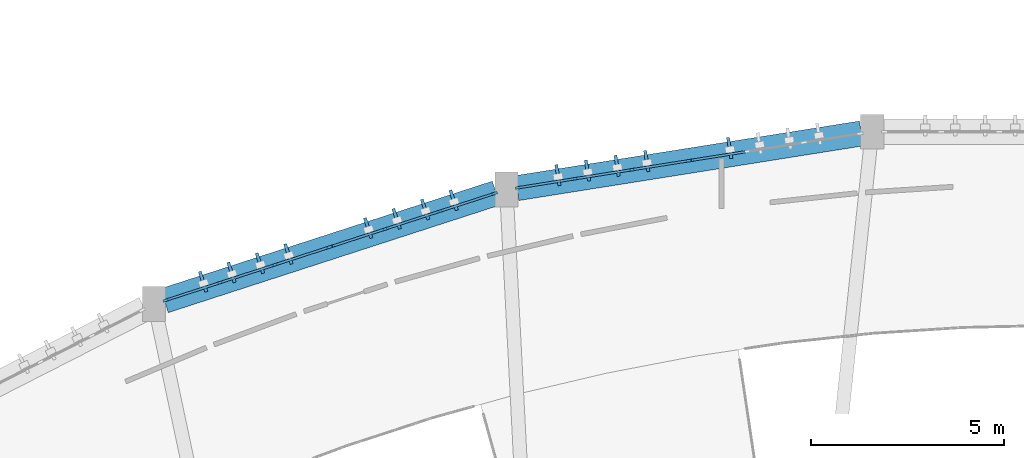
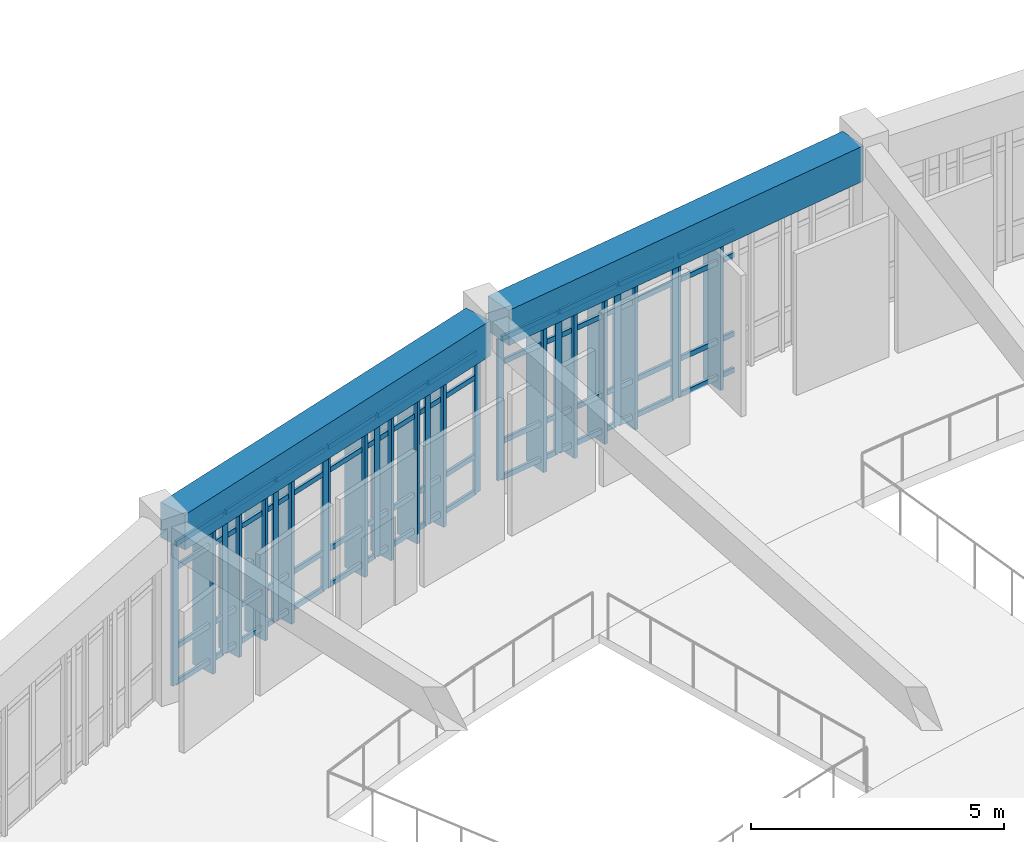
# One storey, part 20 of 54: 66 members, 2 beams, 4 elements without a shape of their own.
"""IFC4 building model written with IfcOpenShell, lengths in metres."""

from ifc_helpers import new_model, si_unit, direction, frame, origin, origin_2d, place, context, subcontext, project, spatial, rectangle, extrude, material, layer, layer_set, material_profile, profile_set, type_object, element, aggregate, save


model = new_model("IFC4")

# Units and contexts
model_context = context("Model", 3, precision=1e-05, world=origin(), true_north=direction((0.0, 1.0)))
body_context = subcontext(model_context, "Body", "Model", "MODEL_VIEW")
ifc_project = project(units=[si_unit("LENGTHUNIT", "METRE"), si_unit("AREAUNIT", "SQUARE_METRE"), si_unit("VOLUMEUNIT", "CUBIC_METRE"), si_unit("PLANEANGLEUNIT", "RADIAN"), si_unit("MASSUNIT", "GRAM", prefix="KILO")], contexts=[model_context])

# Site, building, storey
site_placement = place(None, origin())
site = spatial("IfcSite", under=ifc_project, at=site_placement, CompositionType="ELEMENT")
building_placement = place(site_placement, origin())
building = spatial("IfcBuilding", under=site, at=building_placement, Name="Miralva Faculty of Natural Sciences", CompositionType="ELEMENT")
storey_placement = place(building_placement, frame((0.0, 0.0, 19.5)))
storey = spatial("IfcBuildingStorey", under=building, at=storey_placement, Name="L04", CompositionType="ELEMENT", Elevation=19.5)

# Beams
ifc_material_1 = material(Name="Concrete C40/50", Category="concrete")
ifc_material_profile_1 = material_profile(ifc_material_1, rectangle(XDim=0.64990234375, YDim=0.85009765625, at=origin_2d()), Name="RC 650x850")
ifc_profile_set_1 = profile_set([ifc_material_profile_1], Name="Concrete C40/50")
beam_type = type_object("IfcBeamType", Name="BM-SP03", PredefinedType="SPANDREL", material=ifc_profile_set_1)
beam_1_placement = place(storey_placement, frame((84.9375, 39.7666015625, 3.8349609375), z_axis=(-0.987637724409, -0.156753709124, 0.0), x_axis=(0.156753709124, -0.987637724409, 0.0)))
element("IfcBeam", 1, at=beam_1_placement, inside=storey, type_object=beam_type, Name="Curved chord girder SHOUT L04-6", PredefinedType="SPANDREL", context=body_context, shape_type="SweptSolid", body=[
    extrude(rectangle(XDim=0.64990234375, YDim=0.85009765625, at=origin_2d()), origin(), (0.0, 0.0, 1.0), 9.016357421875),
])
beam_2_placement = place(storey_placement, frame((75.49755859375, 38.224853515625, 3.8349609375), z_axis=(-0.951264483171, -0.30837620378, 0.0), x_axis=(0.30837620378, -0.951264483171, 0.0)))
element("IfcBeam", 2, at=beam_2_placement, inside=storey, type_object=beam_type, Name="Curved chord girder SHOUT L04-7", PredefinedType="SPANDREL", context=body_context, shape_type="SweptSolid", body=[
    extrude(rectangle(XDim=0.64990234375, YDim=0.85009765625, at=origin_2d()), origin(), (0.0, 0.0, 1.0), 9.01416015625),
])

# Curtain wall, members
ifc_material_2 = material(Name="Laminated solar-control glass", Category="glass")
ifc_layer = layer(ifc_material_2, 0.179931640625, Name="CW-ARC-L03")
ifc_layer_set = layer_set([ifc_layer], Name="Laminated solar-control glass")
curtain_wall_type = type_object("IfcCurtainWallType", Name="CW-ARC-L03", PredefinedType="USERDEFINED", material=ifc_layer_set)
curtain_wall_1_placement = place(storey_placement, origin())
curtain_wall_1 = element("IfcCurtainWall", 3, at=curtain_wall_1_placement, inside=storey, type_object=curtain_wall_type, Name="Curtain wall CW-03 L04-177", ObjectType="UNITISED CURTAIN WALL", PredefinedType="USERDEFINED")
ifc_material_3 = material(Name="Anodised aluminium", Category="aluminium")
ifc_material_profile_2 = material_profile(ifc_material_3, rectangle(XDim=0.06494140625, YDim=0.159912109375, at=origin_2d()), Name="MULLION 65x160")
ifc_profile_set_2 = profile_set([ifc_material_profile_2], Name="Anodised aluminium")
member_type_1 = type_object("IfcMemberType", Name="CW-M02", PredefinedType="MULLION", material=ifc_profile_set_2)
member_1_placement = place(storey_placement, frame((66.9677734375, 35.457763671875, 0.0), z_axis=(0.0, 0.0, 1.0), x_axis=(-0.309011053363, 0.951058446626, 0.0)))
member_1 = element("IfcMember", 4, at=member_1_placement, type_object=member_type_1, Name="CW-03 mullion 1", PredefinedType="MULLION", context=body_context, shape_type="SweptSolid", body=[
    extrude(rectangle(XDim=0.06494140625, YDim=0.159912109375, at=origin_2d()), origin(), (0.0, 0.0, 1.0), 3.405029296875),
])
member_2_placement = place(storey_placement, frame((68.360595703125, 35.910400390625, 0.0), z_axis=(0.0, 0.0, 1.0), x_axis=(-0.309011053363, 0.951058446626, 0.0)))
member_2 = element("IfcMember", 5, at=member_2_placement, type_object=member_type_1, Name="CW-03 mullion 2", PredefinedType="MULLION", context=body_context, shape_type="SweptSolid", body=[
    extrude(rectangle(XDim=0.06494140625, YDim=0.159912109375, at=origin_2d()), origin(), (0.0, 0.0, 1.0), 3.405029296875),
])
member_3_placement = place(storey_placement, frame((69.784423828125, 36.373046875, 0.0), z_axis=(0.0, 0.0, 1.0), x_axis=(-0.309011053363, 0.951058446626, 0.0)))
member_3 = element("IfcMember", 6, at=member_3_placement, type_object=member_type_1, Name="CW-03 mullion 3", PredefinedType="MULLION", context=body_context, shape_type="SweptSolid", body=[
    extrude(rectangle(XDim=0.06494140625, YDim=0.159912109375, at=origin_2d()), origin(), (0.0, 0.0, 1.0), 3.405029296875),
])
member_4_placement = place(storey_placement, frame((71.17724609375, 36.825439453125, 0.0), z_axis=(0.0, 0.0, 1.0), x_axis=(-0.309011053363, 0.951058446626, 0.0)))
member_4 = element("IfcMember", 7, at=member_4_placement, type_object=member_type_1, Name="CW-03 mullion 4", PredefinedType="MULLION", context=body_context, shape_type="SweptSolid", body=[
    extrude(rectangle(XDim=0.06494140625, YDim=0.159912109375, at=origin_2d()), origin(), (0.0, 0.0, 1.0), 3.405029296875),
])

curtain_wall_2_placement = place(storey_placement, origin())
curtain_wall_2 = element("IfcCurtainWall", 8, at=curtain_wall_2_placement, inside=storey, type_object=curtain_wall_type, Name="Curtain wall CW-03 L04-178", ObjectType="UNITISED CURTAIN WALL", PredefinedType="USERDEFINED")
member_5_placement = place(storey_placement, frame((71.234130859375, 36.84423828125, 0.0), z_axis=(0.0, 0.0, 1.0), x_axis=(-0.309005603375, 0.95106021738, 0.0)))
member_5 = element("IfcMember", 9, at=member_5_placement, type_object=member_type_1, Name="CW-03 mullion 1", PredefinedType="MULLION", context=body_context, shape_type="SweptSolid", body=[
    extrude(rectangle(XDim=0.06494140625, YDim=0.159912109375, at=origin_2d()), origin(), (0.0, 0.0, 1.0), 3.405029296875),
])
member_6_placement = place(storey_placement, frame((72.628662109375, 37.297119140625, 0.0), z_axis=(0.0, 0.0, 1.0), x_axis=(-0.309005603375, 0.95106021738, 0.0)))
member_6 = element("IfcMember", 10, at=member_6_placement, type_object=member_type_1, Name="CW-03 mullion 2", PredefinedType="MULLION", context=body_context, shape_type="SweptSolid", body=[
    extrude(rectangle(XDim=0.06494140625, YDim=0.159912109375, at=origin_2d()), origin(), (0.0, 0.0, 1.0), 3.405029296875),
])
member_7_placement = place(storey_placement, frame((74.053955078125, 37.76025390625, 0.0), z_axis=(0.0, 0.0, 1.0), x_axis=(-0.309005603375, 0.95106021738, 0.0)))
member_7 = element("IfcMember", 11, at=member_7_placement, type_object=member_type_1, Name="CW-03 mullion 3", PredefinedType="MULLION", context=body_context, shape_type="SweptSolid", body=[
    extrude(rectangle(XDim=0.06494140625, YDim=0.159912109375, at=origin_2d()), origin(), (0.0, 0.0, 1.0), 3.405029296875),
])
member_8_placement = place(storey_placement, frame((75.448486328125, 38.21337890625, 0.0), z_axis=(0.0, 0.0, 1.0), x_axis=(-0.309005603375, 0.95106021738, 0.0)))
member_8 = element("IfcMember", 12, at=member_8_placement, type_object=member_type_1, Name="CW-03 mullion 4", PredefinedType="MULLION", context=body_context, shape_type="SweptSolid", body=[
    extrude(rectangle(XDim=0.06494140625, YDim=0.159912109375, at=origin_2d()), origin(), (0.0, 0.0, 1.0), 3.405029296875),
])

curtain_wall_3_placement = place(storey_placement, origin())
curtain_wall_3 = element("IfcCurtainWall", 13, at=curtain_wall_3_placement, inside=storey, type_object=curtain_wall_type, Name="Curtain wall CW-03 L04-179", ObjectType="UNITISED CURTAIN WALL", PredefinedType="USERDEFINED")
member_9_placement = place(storey_placement, frame((76.073486328125, 38.3642578125, 0.0), z_axis=(0.0, 0.0, 1.0), x_axis=(-0.156431459367, 0.987688816642, 0.0)))
member_9 = element("IfcMember", 14, at=member_9_placement, type_object=member_type_1, Name="CW-03 mullion 1", PredefinedType="MULLION", context=body_context, shape_type="SweptSolid", body=[
    extrude(rectangle(XDim=0.06494140625, YDim=0.159912109375, at=origin_2d()), origin(), (0.0, 0.0, 1.0), 3.405029296875),
])
member_10_placement = place(storey_placement, frame((77.523193359375, 38.593994140625, 0.0), z_axis=(0.0, 0.0, 1.0), x_axis=(-0.156431459367, 0.987688816642, 0.0)))
member_10 = element("IfcMember", 15, at=member_10_placement, type_object=member_type_1, Name="CW-03 mullion 2", PredefinedType="MULLION", context=body_context, shape_type="SweptSolid", body=[
    extrude(rectangle(XDim=0.06494140625, YDim=0.159912109375, at=origin_2d()), origin(), (0.0, 0.0, 1.0), 3.405029296875),
])
member_11_placement = place(storey_placement, frame((79.005126953125, 38.82861328125, 0.0), z_axis=(0.0, 0.0, 1.0), x_axis=(-0.156431459367, 0.987688816642, 0.0)))
member_11 = element("IfcMember", 16, at=member_11_placement, type_object=member_type_1, Name="CW-03 mullion 3", PredefinedType="MULLION", context=body_context, shape_type="SweptSolid", body=[
    extrude(rectangle(XDim=0.06494140625, YDim=0.159912109375, at=origin_2d()), origin(), (0.0, 0.0, 1.0), 3.405029296875),
])
member_12_placement = place(storey_placement, frame((80.454833984375, 39.05810546875, 0.0), z_axis=(0.0, 0.0, 1.0), x_axis=(-0.156431459367, 0.987688816642, 0.0)))
member_12 = element("IfcMember", 17, at=member_12_placement, type_object=member_type_1, Name="CW-03 mullion 4", PredefinedType="MULLION", context=body_context, shape_type="SweptSolid", body=[
    extrude(rectangle(XDim=0.06494140625, YDim=0.159912109375, at=origin_2d()), origin(), (0.0, 0.0, 1.0), 3.405029296875),
])

# Curtain wall, member
curtain_wall_4_placement = place(storey_placement, origin())
curtain_wall_4 = element("IfcCurtainWall", 18, at=curtain_wall_4_placement, inside=storey, type_object=curtain_wall_type, Name="Curtain wall CW-03 L04-180", ObjectType="UNITISED CURTAIN WALL", PredefinedType="USERDEFINED")
member_13_placement = place(storey_placement, frame((80.51416015625, 39.067626953125, 0.0), z_axis=(0.0, 0.0, 1.0), x_axis=(-0.156414990722, 0.987691424827, 0.0)))
member_13 = element("IfcMember", 19, at=member_13_placement, type_object=member_type_1, Name="CW-03 mullion 1", PredefinedType="MULLION", context=body_context, shape_type="SweptSolid", body=[
    extrude(rectangle(XDim=0.06494140625, YDim=0.159912109375, at=origin_2d()), origin(), (0.0, 0.0, 1.0), 3.405029296875),
])

# Member
ifc_material_profile_3 = material_profile(ifc_material_3, rectangle(XDim=0.06005859375, YDim=0.1201171875, at=origin_2d()), Name="TRANSOM 60x120")
ifc_profile_set_3 = profile_set([ifc_material_profile_3], Name="Anodised aluminium")
member_type_2 = type_object("IfcMemberType", Name="CW-T02", PredefinedType="USERDEFINED", material=ifc_profile_set_3)
member_14_placement = place(storey_placement, frame((66.99853515625, 35.4677734375, 0.030029296875), z_axis=(0.951028941009, 0.309101849499, 0.0), x_axis=(-0.309101849499, 0.951028941009, 0.0)))
member_14 = element("IfcMember", 20, at=member_14_placement, type_object=member_type_2, Name="CW-03 transom 1.1", ObjectType="TRANSOM", PredefinedType="USERDEFINED", context=body_context, shape_type="SweptSolid", body=[
    extrude(rectangle(XDim=0.06005859375, YDim=0.1201171875, at=origin_2d()), origin(), (0.0, 0.0, 1.0), 1.399658203125),
])

member_15_placement = place(storey_placement, frame((66.99853515625, 35.4677734375, 0.89990234375), z_axis=(0.951028941009, 0.309101849499, 0.0), x_axis=(-0.309101849499, 0.951028941009, 0.0)))
member_15 = element("IfcMember", 21, at=member_15_placement, type_object=member_type_2, Name="CW-03 transom 1.2", ObjectType="TRANSOM", PredefinedType="USERDEFINED", context=body_context, shape_type="SweptSolid", body=[
    extrude(rectangle(XDim=0.06005859375, YDim=0.1201171875, at=origin_2d()), origin(), (0.0, 0.0, 1.0), 1.399658203125),
])

member_16_placement = place(storey_placement, frame((66.99853515625, 35.4677734375, 2.804931640625), z_axis=(0.951028941009, 0.309101849499, 0.0), x_axis=(-0.309101849499, 0.951028941009, 0.0)))
member_16 = element("IfcMember", 22, at=member_16_placement, type_object=member_type_2, Name="CW-03 transom 1.3", ObjectType="TRANSOM", PredefinedType="USERDEFINED", context=body_context, shape_type="SweptSolid", body=[
    extrude(rectangle(XDim=0.06005859375, YDim=0.1201171875, at=origin_2d()), origin(), (0.0, 0.0, 1.0), 1.399658203125),
])

member_17_placement = place(storey_placement, frame((66.99853515625, 35.4677734375, 3.375), z_axis=(0.951028941009, 0.309101849499, 0.0), x_axis=(-0.309101849499, 0.951028941009, 0.0)))
member_17 = element("IfcMember", 23, at=member_17_placement, type_object=member_type_2, Name="CW-03 transom 1.4", ObjectType="TRANSOM", PredefinedType="USERDEFINED", context=body_context, shape_type="SweptSolid", body=[
    extrude(rectangle(XDim=0.06005859375, YDim=0.1201171875, at=origin_2d()), origin(), (0.0, 0.0, 1.0), 1.399658203125),
])

member_18_placement = place(storey_placement, frame((68.391357421875, 35.92041015625, 0.030029296875), z_axis=(0.951042837494, 0.309059090227, 0.0), x_axis=(-0.309059090227, 0.951042837494, 0.0)))
member_18 = element("IfcMember", 24, at=member_18_placement, type_object=member_type_2, Name="CW-03 transom 2.1", ObjectType="TRANSOM", PredefinedType="USERDEFINED", context=body_context, shape_type="SweptSolid", body=[
    extrude(rectangle(XDim=0.06005859375, YDim=0.1201171875, at=origin_2d()), origin(), (0.0, 0.0, 1.0), 1.43212890625),
])

member_19_placement = place(storey_placement, frame((68.391357421875, 35.92041015625, 0.89990234375), z_axis=(0.951042837494, 0.309059090227, 0.0), x_axis=(-0.309059090227, 0.951042837494, 0.0)))
member_19 = element("IfcMember", 25, at=member_19_placement, type_object=member_type_2, Name="CW-03 transom 2.2", ObjectType="TRANSOM", PredefinedType="USERDEFINED", context=body_context, shape_type="SweptSolid", body=[
    extrude(rectangle(XDim=0.06005859375, YDim=0.1201171875, at=origin_2d()), origin(), (0.0, 0.0, 1.0), 1.43212890625),
])

member_20_placement = place(storey_placement, frame((68.391357421875, 35.92041015625, 2.804931640625), z_axis=(0.951042837494, 0.309059090227, 0.0), x_axis=(-0.309059090227, 0.951042837494, 0.0)))
member_20 = element("IfcMember", 26, at=member_20_placement, type_object=member_type_2, Name="CW-03 transom 2.3", ObjectType="TRANSOM", PredefinedType="USERDEFINED", context=body_context, shape_type="SweptSolid", body=[
    extrude(rectangle(XDim=0.06005859375, YDim=0.1201171875, at=origin_2d()), origin(), (0.0, 0.0, 1.0), 1.43212890625),
])

member_21_placement = place(storey_placement, frame((68.391357421875, 35.92041015625, 3.375), z_axis=(0.951042837494, 0.309059090227, 0.0), x_axis=(-0.309059090227, 0.951042837494, 0.0)))
member_21 = element("IfcMember", 27, at=member_21_placement, type_object=member_type_2, Name="CW-03 transom 2.4", ObjectType="TRANSOM", PredefinedType="USERDEFINED", context=body_context, shape_type="SweptSolid", body=[
    extrude(rectangle(XDim=0.06005859375, YDim=0.1201171875, at=origin_2d()), origin(), (0.0, 0.0, 1.0), 1.43212890625),
])

member_22_placement = place(storey_placement, frame((69.815185546875, 36.383056640625, 0.030029296875), z_axis=(0.951080208938, 0.308944066403, 0.0), x_axis=(-0.308944066403, 0.951080208938, 0.0)))
member_22 = element("IfcMember", 28, at=member_22_placement, type_object=member_type_2, Name="CW-03 transom 3.1", ObjectType="TRANSOM", PredefinedType="USERDEFINED", context=body_context, shape_type="SweptSolid", body=[
    extrude(rectangle(XDim=0.06005859375, YDim=0.1201171875, at=origin_2d()), origin(), (0.0, 0.0, 1.0), 1.3994140625),
])

member_23_placement = place(storey_placement, frame((69.815185546875, 36.383056640625, 0.89990234375), z_axis=(0.951080208938, 0.308944066403, 0.0), x_axis=(-0.308944066403, 0.951080208938, 0.0)))
member_23 = element("IfcMember", 29, at=member_23_placement, type_object=member_type_2, Name="CW-03 transom 3.2", ObjectType="TRANSOM", PredefinedType="USERDEFINED", context=body_context, shape_type="SweptSolid", body=[
    extrude(rectangle(XDim=0.06005859375, YDim=0.1201171875, at=origin_2d()), origin(), (0.0, 0.0, 1.0), 1.3994140625),
])

member_24_placement = place(storey_placement, frame((69.815185546875, 36.383056640625, 2.804931640625), z_axis=(0.951080208938, 0.308944066403, 0.0), x_axis=(-0.308944066403, 0.951080208938, 0.0)))
member_24 = element("IfcMember", 30, at=member_24_placement, type_object=member_type_2, Name="CW-03 transom 3.3", ObjectType="TRANSOM", PredefinedType="USERDEFINED", context=body_context, shape_type="SweptSolid", body=[
    extrude(rectangle(XDim=0.06005859375, YDim=0.1201171875, at=origin_2d()), origin(), (0.0, 0.0, 1.0), 1.3994140625),
])

member_25_placement = place(storey_placement, frame((69.815185546875, 36.383056640625, 3.375), z_axis=(0.951080208938, 0.308944066403, 0.0), x_axis=(-0.308944066403, 0.951080208938, 0.0)))
member_25 = element("IfcMember", 31, at=member_25_placement, type_object=member_type_2, Name="CW-03 transom 3.4", ObjectType="TRANSOM", PredefinedType="USERDEFINED", context=body_context, shape_type="SweptSolid", body=[
    extrude(rectangle(XDim=0.06005859375, YDim=0.1201171875, at=origin_2d()), origin(), (0.0, 0.0, 1.0), 1.3994140625),
])

aggregate(curtain_wall_1, [member_1, member_2, member_3, member_4, member_14, member_15, member_16, member_17, member_18, member_19, member_20, member_21, member_22, member_23, member_24, member_25])

member_26_placement = place(storey_placement, frame((71.26513671875, 36.854248046875, 0.030029296875), z_axis=(0.951077598136, 0.308952103608, 0.0), x_axis=(-0.308952103608, 0.951077598136, 0.0)))
member_26 = element("IfcMember", 32, at=member_26_placement, type_object=member_type_2, Name="CW-03 transom 1.1", ObjectType="TRANSOM", PredefinedType="USERDEFINED", context=body_context, shape_type="SweptSolid", body=[
    extrude(rectangle(XDim=0.06005859375, YDim=0.1201171875, at=origin_2d()), origin(), (0.0, 0.0, 1.0), 1.401123046875),
])

member_27_placement = place(storey_placement, frame((71.26513671875, 36.854248046875, 0.89990234375), z_axis=(0.951077598136, 0.308952103608, 0.0), x_axis=(-0.308952103608, 0.951077598136, 0.0)))
member_27 = element("IfcMember", 33, at=member_27_placement, type_object=member_type_2, Name="CW-03 transom 1.2", ObjectType="TRANSOM", PredefinedType="USERDEFINED", context=body_context, shape_type="SweptSolid", body=[
    extrude(rectangle(XDim=0.06005859375, YDim=0.1201171875, at=origin_2d()), origin(), (0.0, 0.0, 1.0), 1.401123046875),
])

member_28_placement = place(storey_placement, frame((71.26513671875, 36.854248046875, 2.804931640625), z_axis=(0.951077598136, 0.308952103608, 0.0), x_axis=(-0.308952103608, 0.951077598136, 0.0)))
member_28 = element("IfcMember", 34, at=member_28_placement, type_object=member_type_2, Name="CW-03 transom 1.3", ObjectType="TRANSOM", PredefinedType="USERDEFINED", context=body_context, shape_type="SweptSolid", body=[
    extrude(rectangle(XDim=0.06005859375, YDim=0.1201171875, at=origin_2d()), origin(), (0.0, 0.0, 1.0), 1.401123046875),
])

member_29_placement = place(storey_placement, frame((71.26513671875, 36.854248046875, 3.375), z_axis=(0.951077598136, 0.308952103608, 0.0), x_axis=(-0.308952103608, 0.951077598136, 0.0)))
member_29 = element("IfcMember", 35, at=member_29_placement, type_object=member_type_2, Name="CW-03 transom 1.4", ObjectType="TRANSOM", PredefinedType="USERDEFINED", context=body_context, shape_type="SweptSolid", body=[
    extrude(rectangle(XDim=0.06005859375, YDim=0.1201171875, at=origin_2d()), origin(), (0.0, 0.0, 1.0), 1.401123046875),
])

member_30_placement = place(storey_placement, frame((72.659423828125, 37.30712890625, 0.030029296875), z_axis=(0.951040325466, 0.309066820183, 0.0), x_axis=(-0.309066820183, 0.951040325466, 0.0)))
member_30 = element("IfcMember", 36, at=member_30_placement, type_object=member_type_2, Name="CW-03 transom 2.1", ObjectType="TRANSOM", PredefinedType="USERDEFINED", context=body_context, shape_type="SweptSolid", body=[
    extrude(rectangle(XDim=0.06005859375, YDim=0.1201171875, at=origin_2d()), origin(), (0.0, 0.0, 1.0), 1.433837890625),
])

member_31_placement = place(storey_placement, frame((72.659423828125, 37.30712890625, 0.89990234375), z_axis=(0.951040325466, 0.309066820183, 0.0), x_axis=(-0.309066820183, 0.951040325466, 0.0)))
member_31 = element("IfcMember", 37, at=member_31_placement, type_object=member_type_2, Name="CW-03 transom 2.2", ObjectType="TRANSOM", PredefinedType="USERDEFINED", context=body_context, shape_type="SweptSolid", body=[
    extrude(rectangle(XDim=0.06005859375, YDim=0.1201171875, at=origin_2d()), origin(), (0.0, 0.0, 1.0), 1.433837890625),
])

member_32_placement = place(storey_placement, frame((72.659423828125, 37.30712890625, 2.804931640625), z_axis=(0.951040325466, 0.309066820183, 0.0), x_axis=(-0.309066820183, 0.951040325466, 0.0)))
member_32 = element("IfcMember", 38, at=member_32_placement, type_object=member_type_2, Name="CW-03 transom 2.3", ObjectType="TRANSOM", PredefinedType="USERDEFINED", context=body_context, shape_type="SweptSolid", body=[
    extrude(rectangle(XDim=0.06005859375, YDim=0.1201171875, at=origin_2d()), origin(), (0.0, 0.0, 1.0), 1.433837890625),
])

member_33_placement = place(storey_placement, frame((72.659423828125, 37.30712890625, 3.375), z_axis=(0.951040325466, 0.309066820183, 0.0), x_axis=(-0.309066820183, 0.951040325466, 0.0)))
member_33 = element("IfcMember", 39, at=member_33_placement, type_object=member_type_2, Name="CW-03 transom 2.4", ObjectType="TRANSOM", PredefinedType="USERDEFINED", context=body_context, shape_type="SweptSolid", body=[
    extrude(rectangle(XDim=0.06005859375, YDim=0.1201171875, at=origin_2d()), origin(), (0.0, 0.0, 1.0), 1.433837890625),
])

member_34_placement = place(storey_placement, frame((74.0849609375, 37.770263671875, 0.030029296875), z_axis=(0.951026385526, 0.309109711968, 0.0), x_axis=(-0.309109711968, 0.951026385526, 0.0)))
member_34 = element("IfcMember", 40, at=member_34_placement, type_object=member_type_2, Name="CW-03 transom 3.1", ObjectType="TRANSOM", PredefinedType="USERDEFINED", context=body_context, shape_type="SweptSolid", body=[
    extrude(rectangle(XDim=0.06005859375, YDim=0.1201171875, at=origin_2d()), origin(), (0.0, 0.0, 1.0), 1.401123046875),
])

member_35_placement = place(storey_placement, frame((74.0849609375, 37.770263671875, 0.89990234375), z_axis=(0.951026385526, 0.309109711968, 0.0), x_axis=(-0.309109711968, 0.951026385526, 0.0)))
member_35 = element("IfcMember", 41, at=member_35_placement, type_object=member_type_2, Name="CW-03 transom 3.2", ObjectType="TRANSOM", PredefinedType="USERDEFINED", context=body_context, shape_type="SweptSolid", body=[
    extrude(rectangle(XDim=0.06005859375, YDim=0.1201171875, at=origin_2d()), origin(), (0.0, 0.0, 1.0), 1.401123046875),
])

member_36_placement = place(storey_placement, frame((74.0849609375, 37.770263671875, 2.804931640625), z_axis=(0.951026385526, 0.309109711968, 0.0), x_axis=(-0.309109711968, 0.951026385526, 0.0)))
member_36 = element("IfcMember", 42, at=member_36_placement, type_object=member_type_2, Name="CW-03 transom 3.3", ObjectType="TRANSOM", PredefinedType="USERDEFINED", context=body_context, shape_type="SweptSolid", body=[
    extrude(rectangle(XDim=0.06005859375, YDim=0.1201171875, at=origin_2d()), origin(), (0.0, 0.0, 1.0), 1.401123046875),
])

member_37_placement = place(storey_placement, frame((74.0849609375, 37.770263671875, 3.375), z_axis=(0.951026385526, 0.309109711968, 0.0), x_axis=(-0.309109711968, 0.951026385526, 0.0)))
member_37 = element("IfcMember", 43, at=member_37_placement, type_object=member_type_2, Name="CW-03 transom 3.4", ObjectType="TRANSOM", PredefinedType="USERDEFINED", context=body_context, shape_type="SweptSolid", body=[
    extrude(rectangle(XDim=0.06005859375, YDim=0.1201171875, at=origin_2d()), origin(), (0.0, 0.0, 1.0), 1.401123046875),
])

aggregate(curtain_wall_2, [member_5, member_6, member_7, member_8, member_26, member_27, member_28, member_29, member_30, member_31, member_32, member_33, member_34, member_35, member_36, member_37])

member_38_placement = place(storey_placement, frame((76.10546875, 38.369384765625, 0.030029296875), z_axis=(0.987683814422, 0.1564630395, 0.0), x_axis=(-0.1564630395, 0.987683814422, 0.0)))
member_38 = element("IfcMember", 44, at=member_38_placement, type_object=member_type_2, Name="CW-03 transom 1.1", ObjectType="TRANSOM", PredefinedType="USERDEFINED", context=body_context, shape_type="SweptSolid", body=[
    extrude(rectangle(XDim=0.06005859375, YDim=0.1201171875, at=origin_2d()), origin(), (0.0, 0.0, 1.0), 1.40283203125),
])

member_39_placement = place(storey_placement, frame((76.10546875, 38.369384765625, 0.89990234375), z_axis=(0.987683814422, 0.1564630395, 0.0), x_axis=(-0.1564630395, 0.987683814422, 0.0)))
member_39 = element("IfcMember", 45, at=member_39_placement, type_object=member_type_2, Name="CW-03 transom 1.2", ObjectType="TRANSOM", PredefinedType="USERDEFINED", context=body_context, shape_type="SweptSolid", body=[
    extrude(rectangle(XDim=0.06005859375, YDim=0.1201171875, at=origin_2d()), origin(), (0.0, 0.0, 1.0), 1.40283203125),
])

member_40_placement = place(storey_placement, frame((76.10546875, 38.369384765625, 2.804931640625), z_axis=(0.987683814422, 0.1564630395, 0.0), x_axis=(-0.1564630395, 0.987683814422, 0.0)))
member_40 = element("IfcMember", 46, at=member_40_placement, type_object=member_type_2, Name="CW-03 transom 1.3", ObjectType="TRANSOM", PredefinedType="USERDEFINED", context=body_context, shape_type="SweptSolid", body=[
    extrude(rectangle(XDim=0.06005859375, YDim=0.1201171875, at=origin_2d()), origin(), (0.0, 0.0, 1.0), 1.40283203125),
])

member_41_placement = place(storey_placement, frame((76.10546875, 38.369384765625, 3.375), z_axis=(0.987683814422, 0.1564630395, 0.0), x_axis=(-0.1564630395, 0.987683814422, 0.0)))
member_41 = element("IfcMember", 47, at=member_41_placement, type_object=member_type_2, Name="CW-03 transom 1.4", ObjectType="TRANSOM", PredefinedType="USERDEFINED", context=body_context, shape_type="SweptSolid", body=[
    extrude(rectangle(XDim=0.06005859375, YDim=0.1201171875, at=origin_2d()), origin(), (0.0, 0.0, 1.0), 1.40283203125),
])

member_42_placement = place(storey_placement, frame((77.55517578125, 38.598876953125, 0.030029296875), z_axis=(0.987681466101, 0.15647786272, 0.0), x_axis=(-0.15647786272, 0.987681466101, 0.0)))
member_42 = element("IfcMember", 48, at=member_42_placement, type_object=member_type_2, Name="CW-03 transom 2.1", ObjectType="TRANSOM", PredefinedType="USERDEFINED", context=body_context, shape_type="SweptSolid", body=[
    extrude(rectangle(XDim=0.06005859375, YDim=0.1201171875, at=origin_2d()), origin(), (0.0, 0.0, 1.0), 1.435302734375),
])

member_43_placement = place(storey_placement, frame((77.55517578125, 38.598876953125, 0.89990234375), z_axis=(0.987681466101, 0.15647786272, 0.0), x_axis=(-0.15647786272, 0.987681466101, 0.0)))
member_43 = element("IfcMember", 49, at=member_43_placement, type_object=member_type_2, Name="CW-03 transom 2.2", ObjectType="TRANSOM", PredefinedType="USERDEFINED", context=body_context, shape_type="SweptSolid", body=[
    extrude(rectangle(XDim=0.06005859375, YDim=0.1201171875, at=origin_2d()), origin(), (0.0, 0.0, 1.0), 1.435302734375),
])

member_44_placement = place(storey_placement, frame((77.55517578125, 38.598876953125, 2.804931640625), z_axis=(0.987681466101, 0.15647786272, 0.0), x_axis=(-0.15647786272, 0.987681466101, 0.0)))
member_44 = element("IfcMember", 50, at=member_44_placement, type_object=member_type_2, Name="CW-03 transom 2.3", ObjectType="TRANSOM", PredefinedType="USERDEFINED", context=body_context, shape_type="SweptSolid", body=[
    extrude(rectangle(XDim=0.06005859375, YDim=0.1201171875, at=origin_2d()), origin(), (0.0, 0.0, 1.0), 1.435302734375),
])

member_45_placement = place(storey_placement, frame((77.55517578125, 38.598876953125, 3.375), z_axis=(0.987681466101, 0.15647786272, 0.0), x_axis=(-0.15647786272, 0.987681466101, 0.0)))
member_45 = element("IfcMember", 51, at=member_45_placement, type_object=member_type_2, Name="CW-03 transom 2.4", ObjectType="TRANSOM", PredefinedType="USERDEFINED", context=body_context, shape_type="SweptSolid", body=[
    extrude(rectangle(XDim=0.06005859375, YDim=0.1201171875, at=origin_2d()), origin(), (0.0, 0.0, 1.0), 1.435302734375),
])

member_46_placement = place(storey_placement, frame((79.037109375, 38.833740234375, 0.030029296875), z_axis=(0.987683814422, 0.1564630395, 0.0), x_axis=(-0.1564630395, 0.987683814422, 0.0)))
member_46 = element("IfcMember", 52, at=member_46_placement, type_object=member_type_2, Name="CW-03 transom 3.1", ObjectType="TRANSOM", PredefinedType="USERDEFINED", context=body_context, shape_type="SweptSolid", body=[
    extrude(rectangle(XDim=0.06005859375, YDim=0.1201171875, at=origin_2d()), origin(), (0.0, 0.0, 1.0), 1.40283203125),
])

member_47_placement = place(storey_placement, frame((79.037109375, 38.833740234375, 0.89990234375), z_axis=(0.987683814422, 0.1564630395, 0.0), x_axis=(-0.1564630395, 0.987683814422, 0.0)))
member_47 = element("IfcMember", 53, at=member_47_placement, type_object=member_type_2, Name="CW-03 transom 3.2", ObjectType="TRANSOM", PredefinedType="USERDEFINED", context=body_context, shape_type="SweptSolid", body=[
    extrude(rectangle(XDim=0.06005859375, YDim=0.1201171875, at=origin_2d()), origin(), (0.0, 0.0, 1.0), 1.40283203125),
])

member_48_placement = place(storey_placement, frame((79.037109375, 38.833740234375, 2.804931640625), z_axis=(0.987683814422, 0.1564630395, 0.0), x_axis=(-0.1564630395, 0.987683814422, 0.0)))
member_48 = element("IfcMember", 54, at=member_48_placement, type_object=member_type_2, Name="CW-03 transom 3.3", ObjectType="TRANSOM", PredefinedType="USERDEFINED", context=body_context, shape_type="SweptSolid", body=[
    extrude(rectangle(XDim=0.06005859375, YDim=0.1201171875, at=origin_2d()), origin(), (0.0, 0.0, 1.0), 1.40283203125),
])

member_49_placement = place(storey_placement, frame((79.037109375, 38.833740234375, 3.375), z_axis=(0.987683814422, 0.1564630395, 0.0), x_axis=(-0.1564630395, 0.987683814422, 0.0)))
member_49 = element("IfcMember", 55, at=member_49_placement, type_object=member_type_2, Name="CW-03 transom 3.4", ObjectType="TRANSOM", PredefinedType="USERDEFINED", context=body_context, shape_type="SweptSolid", body=[
    extrude(rectangle(XDim=0.06005859375, YDim=0.1201171875, at=origin_2d()), origin(), (0.0, 0.0, 1.0), 1.40283203125),
])

aggregate(curtain_wall_3, [member_9, member_10, member_11, member_12, member_38, member_39, member_40, member_41, member_42, member_43, member_44, member_45, member_46, member_47, member_48, member_49])

member_50_placement = place(storey_placement, frame((80.546142578125, 39.07275390625, 0.030029296875), z_axis=(0.987713585208, 0.156274993506, 0.0), x_axis=(-0.156274993506, 0.987713585208, 0.0)))
member_50 = element("IfcMember", 56, at=member_50_placement, type_object=member_type_2, Name="CW-03 transom 1.1", ObjectType="TRANSOM", PredefinedType="USERDEFINED", context=body_context, shape_type="SweptSolid", body=[
    extrude(rectangle(XDim=0.06005859375, YDim=0.1201171875, at=origin_2d()), origin(), (0.0, 0.0, 1.0), 1.404541015625),
])

member_51_placement = place(storey_placement, frame((80.546142578125, 39.07275390625, 0.89990234375), z_axis=(0.987713585208, 0.156274993506, 0.0), x_axis=(-0.156274993506, 0.987713585208, 0.0)))
member_51 = element("IfcMember", 57, at=member_51_placement, type_object=member_type_2, Name="CW-03 transom 1.2", ObjectType="TRANSOM", PredefinedType="USERDEFINED", context=body_context, shape_type="SweptSolid", body=[
    extrude(rectangle(XDim=0.06005859375, YDim=0.1201171875, at=origin_2d()), origin(), (0.0, 0.0, 1.0), 1.404541015625),
])

member_52_placement = place(storey_placement, frame((80.546142578125, 39.07275390625, 2.804931640625), z_axis=(0.987713585208, 0.156274993506, 0.0), x_axis=(-0.156274993506, 0.987713585208, 0.0)))
member_52 = element("IfcMember", 58, at=member_52_placement, type_object=member_type_2, Name="CW-03 transom 1.3", ObjectType="TRANSOM", PredefinedType="USERDEFINED", context=body_context, shape_type="SweptSolid", body=[
    extrude(rectangle(XDim=0.06005859375, YDim=0.1201171875, at=origin_2d()), origin(), (0.0, 0.0, 1.0), 1.404541015625),
])

member_53_placement = place(storey_placement, frame((80.546142578125, 39.07275390625, 3.375), z_axis=(0.987713585208, 0.156274993506, 0.0), x_axis=(-0.156274993506, 0.987713585208, 0.0)))
member_53 = element("IfcMember", 59, at=member_53_placement, type_object=member_type_2, Name="CW-03 transom 1.4", ObjectType="TRANSOM", PredefinedType="USERDEFINED", context=body_context, shape_type="SweptSolid", body=[
    extrude(rectangle(XDim=0.06005859375, YDim=0.1201171875, at=origin_2d()), origin(), (0.0, 0.0, 1.0), 1.404541015625),
])

aggregate(curtain_wall_4, [member_13, member_50, member_51, member_52, member_53])

# Members
ifc_material_profile_4 = material_profile(ifc_material_3, rectangle(XDim=0.080078125, YDim=0.550048828125, at=origin_2d()), Name="FIN 550x80")
ifc_profile_set_4 = profile_set([ifc_material_profile_4], Name="Anodised aluminium")
member_type_3 = type_object("IfcMemberType", Name="MEM-SF01", PredefinedType="USERDEFINED", material=ifc_profile_set_4)
for number, where, z_axis, x_axis, name in (
    (60, (67.920654296875, 35.935791015625, -0.239990234375), (0.0, 0.0, 1.0), (-0.951056516295, -0.309016994375, 0.0), "Solar shading fin SF-01 L04-141"),
    (61, (68.655517578125, 36.174560546875, -0.239990234375), (0.0, 0.0, 1.0), (-0.951056516295, -0.309016994375, 0.0), "Solar shading fin SF-01 L04-142"),
    (62, (69.390380859375, 36.413330078125, -0.239990234375), (0.0, 0.0, 1.0), (-0.951056516295, -0.309016994375, 0.0), "Solar shading fin SF-01 L04-143"),
    (63, (70.12548828125, 36.652099609375, -0.239990234375), (0.0, 0.0, 1.0), (-0.951056516295, -0.309016994375, 0.0), "Solar shading fin SF-01 L04-144"),
    (64, (72.187744140625, 37.322265625, -0.239990234375), (0.0, 0.0, 1.0), (-0.951056516295, -0.309016994375, 0.0), "Solar shading fin SF-01 L04-145"),
    (65, (72.923828125, 37.561279296875, -0.239990234375), (0.0, 0.0, 1.0), (-0.951056516295, -0.309016994375, 0.0), "Solar shading fin SF-01 L04-146"),
    (66, (73.659912109375, 37.800537109375, -0.239990234375), (0.0, 0.0, 1.0), (-0.951056516295, -0.309016994375, 0.0), "Solar shading fin SF-01 L04-147"),
    (67, (74.39599609375, 38.039794921875, -0.239990234375), (0.0, 0.0, 1.0), (-0.951056516295, -0.309016994375, 0.0), "Solar shading fin SF-01 L04-148"),
    (68, (77.090576171875, 38.6875, -0.239990234375), (0.0, 0.0, 1.0), (-0.987688340595, -0.15643446504, 0.0), "Solar shading fin SF-01 L04-149"),
    (69, (77.856201171875, 38.80859375, -0.239990234375), (0.0, 0.0, 1.0), (-0.987688340595, -0.15643446504, 0.0), "Solar shading fin SF-01 L04-150"),
    (70, (78.621826171875, 38.929931640625, -0.239990234375), (0.0, 0.0, 1.0), (-0.987688340595, -0.15643446504, 0.0), "Solar shading fin SF-01 L04-151"),
    (71, (79.3876953125, 39.05126953125, -0.239990234375), (0.0, 0.0, 1.0), (-0.987688340595, -0.15643446504, 0.0), "Solar shading fin SF-01 L04-152"),
    (72, (81.53173828125, 39.390625, -0.239990234375), (0.0, 0.0, 1.0), (-0.987688340595, -0.15643446504, 0.0), "Solar shading fin SF-01 L04-153"),
):
    element("IfcMember", number, at=place(storey_placement, frame(where, z_axis=z_axis, x_axis=x_axis)), inside=storey, type_object=member_type_3, Name=name, ObjectType="SUNSHADE", PredefinedType="USERDEFINED", context=body_context, shape_type="SweptSolid", body=[
        extrude(rectangle(XDim=0.080078125, YDim=0.550048828125, at=origin_2d()), origin(), (0.0, 0.0, 1.0), 3.64501953125),
    ])

save(model, "model.ifc")
